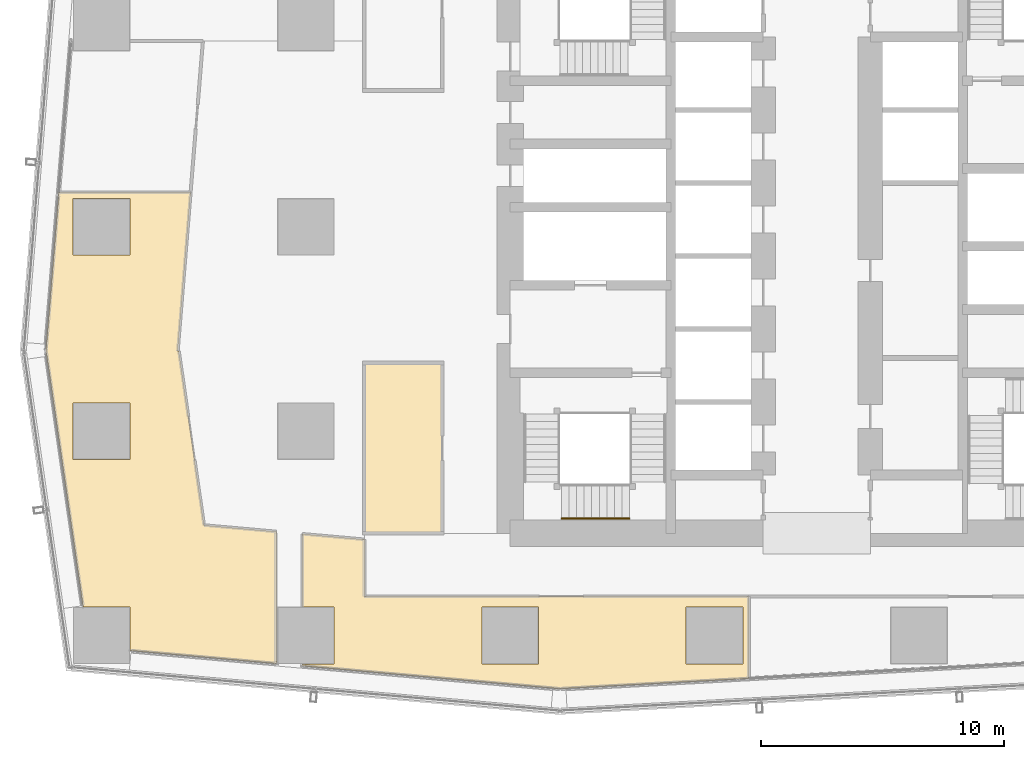
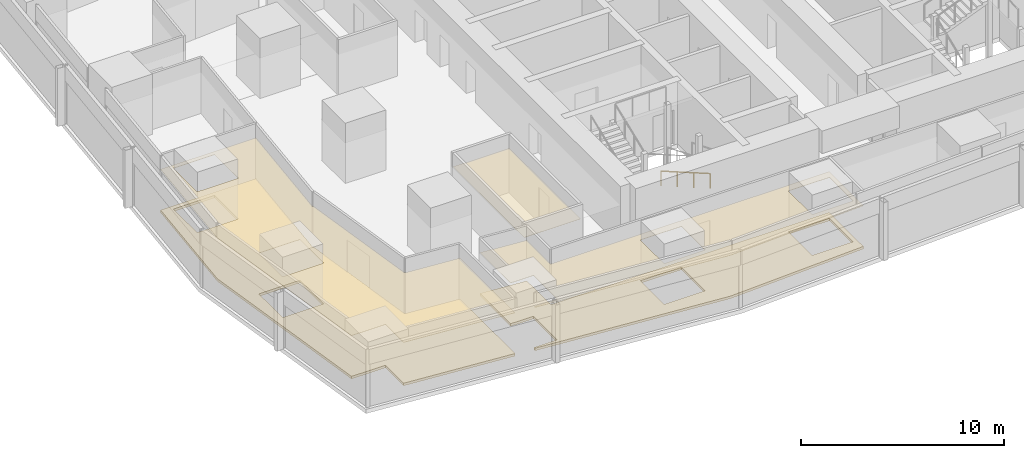
# One storey, part 25 of 32: 5 coverings, 1 railing.
"""IFC4 building model written with IfcOpenShell, lengths in metres."""

from ifc_helpers import new_model, si_unit, direction, frame, origin, origin_2d, place, context, subcontext, project, spatial, polyline, circle, outline, extrude, material, layer, layer_set, type_object, element, save


model = new_model("IFC4")

# Units and contexts
model_context = context("Model", 3, precision=1e-05, world=origin(), true_north=direction((0.0, 1.0)))
body_context = subcontext(model_context, "Body", "Model", "MODEL_VIEW")
ifc_project = project(units=[si_unit("LENGTHUNIT", "METRE"), si_unit("AREAUNIT", "SQUARE_METRE"), si_unit("VOLUMEUNIT", "CUBIC_METRE"), si_unit("PLANEANGLEUNIT", "RADIAN"), si_unit("MASSUNIT", "GRAM", prefix="KILO")], contexts=[model_context])

# Site, building, storey
site_placement = place(None, origin())
site = spatial("IfcSite", under=ifc_project, at=site_placement, CompositionType="ELEMENT")
building_placement = place(site_placement, origin())
building = spatial("IfcBuilding", under=site, at=building_placement, Name="Rekha Terrace Tower", CompositionType="ELEMENT")
storey_placement = place(building_placement, frame((0.0, 0.0, 250.10009765625)))
storey = spatial("IfcBuildingStorey", under=building, at=storey_placement, Name="L63", CompositionType="ELEMENT", Elevation=250.10009765625)

# Coverings
ifc_material_1 = material(Name="Mineral fibre tile in exposed grid", Category="finish")
ifc_layer_1 = layer(ifc_material_1, 0.02001953125)
ifc_layer_set_1 = layer_set([ifc_layer_1], Name="Mineral fibre tile in exposed grid")
covering_type_1 = type_object("IfcCoveringType", Name="CL1 600x1200 office grid ceiling", PredefinedType="CEILING", material=ifc_layer_set_1)
covering_1_placement = place(storey_placement, frame((0.0, 0.0, 2.579833984375)))
element("IfcCovering", 1, at=covering_1_placement, inside=storey, type_object=covering_type_1, Name="Ceiling L63-10", PredefinedType="CEILING", context=body_context, shape_type="SweptSolid", body=[
    extrude(outline(polyline([(6.64306640625, 35.006103515625), (6.113037109375, 28.491943359375), (6.12109375, 28.491943359375), (7.64306640625, 17.965087890625), (9.56494140625, 17.965087890625), (9.56494140625, 16.181884765625), (15.589111328125, 15.64697265625), (15.589111328125, 21.068115234375), (12.612060546875, 21.3330078125), (11.576904296875, 28.490966796875), (11.531005859375, 28.490966796875), (12.06103515625, 35.006103515625), (6.64306640625, 35.006103515625)]), holes=[polyline([(9.56494140625, 26.364990234375), (9.56494140625, 24.034912109375), (7.235107421875, 24.034912109375), (7.235107421875, 26.364990234375), (9.56494140625, 26.364990234375)]), polyline([(9.56494140625, 34.764892578125), (9.56494140625, 32.43505859375), (7.235107421875, 32.43505859375), (7.235107421875, 34.764892578125), (9.56494140625, 34.764892578125)])]), origin(), (0.0, 0.0, 1.0), 0.02001953125),
])
covering_2_placement = place(storey_placement, frame((0.0, 0.0, 2.579833984375)))
element("IfcCovering", 2, at=covering_2_placement, inside=storey, type_object=covering_type_1, Name="Ceiling L63-11", PredefinedType="CEILING", context=body_context, shape_type="SweptSolid", body=[
    extrude(outline(polyline([(26.52392578125, 14.675048828125), (27.221923828125, 14.613037109375), (35.0029296875, 15.037109375), (35.0029296875, 18.39990234375), (19.199951171875, 18.39990234375), (19.199951171875, 20.7470703125), (16.666015625, 20.971923828125), (16.666015625, 17.965087890625), (17.965087890625, 17.965087890625), (17.965087890625, 15.635009765625), (16.666015625, 15.635009765625), (16.666015625, 15.551025390625), (26.52392578125, 14.675048828125)]), holes=[polyline([(34.764892578125, 15.635009765625), (32.43505859375, 15.635009765625), (32.43505859375, 17.965087890625), (34.764892578125, 17.965087890625), (34.764892578125, 15.635009765625)]), polyline([(26.364990234375, 17.965087890625), (26.364990234375, 15.635009765625), (24.034912109375, 15.635009765625), (24.034912109375, 17.965087890625), (26.364990234375, 17.965087890625)])]), origin(), (0.0, 0.0, 1.0), 0.02001953125),
])
ifc_material_2 = material(Name="Fibre cement board", Category="finish")
ifc_layer_2 = layer(ifc_material_2, 0.014892578125)
ifc_layer_set_2 = layer_set([ifc_layer_2], Name="Fibre cement board")
covering_type_2 = type_object("IfcCoveringType", Name="CL2 moisture-resistant board ceiling", PredefinedType="CEILING", material=ifc_layer_set_2)
covering_3_placement = place(storey_placement, frame((0.0, 0.0, 2.5849609375)))
element("IfcCovering", 3, at=covering_3_placement, inside=storey, type_object=covering_type_2, Name="Ceiling L63-WCM", PredefinedType="CEILING", context=body_context, shape_type="SweptSolid", body=[
    extrude(outline(polyline([(22.39990234375, 28.0), (19.199951171875, 28.0), (19.199951171875, 21.0), (22.39990234375, 21.0), (22.39990234375, 28.0)])), origin(), (0.0, 0.0, 1.0), 0.014892578125),
])

# Railing
ifc_material_3 = material(Name="Stainless steel tube", Category="steel")
railing_type = type_object("IfcRailingType", Name="HR1 900 stair handrail", PredefinedType="HANDRAIL", material=ifc_material_3)
railing_placement = place(storey_placement, frame((30.10009765625, 21.610107421875, 1.375)))
element("IfcRailing", 4, at=railing_placement, inside=storey, type_object=railing_type, Name="Handrail ST1 L63 flight 2", PredefinedType="HANDRAIL", context=body_context, shape_type="SweptSolid", body=[
    extrude(circle(Radius=0.02392578125, at=origin_2d()), frame((0.0, 0.0, 0.8759765625), z_axis=(-0.927443287984, 0.0, 0.373963831907), x_axis=(0.0, -1.0, 0.0)), (0.0, 0.0, 1.0), 3.00830078125),
    extrude(circle(Radius=0.02099609375, at=origin_2d()), origin(), (0.0, 0.0, 1.0), 0.851806640625),
    extrude(circle(Radius=0.02099609375, at=origin_2d()), frame((-0.929931640625, 0.0, 0.375)), (0.0, 0.0, 1.0), 0.851806640625),
    extrude(circle(Radius=0.02099609375, at=origin_2d()), frame((-1.860107421875, 0.0, 0.75)), (0.0, 0.0, 1.0), 0.851806640625),
    extrude(circle(Radius=0.02099609375, at=origin_2d()), frame((-2.7900390625, 0.0, 1.125)), (0.0, 0.0, 1.0), 0.851806640625),
])

# Coverings
ifc_material_4 = material(Name="Calcium sulphate panels on steel pedestals", Category="steel")
ifc_layer_3 = layer(ifc_material_4, 0.14990234375)
ifc_layer_set_3 = layer_set([ifc_layer_3], Name="Calcium sulphate panels on steel pedestals")
covering_type_3 = type_object("IfcCoveringType", Name="RF1 150 raised access floor", PredefinedType="FLOORING", material=ifc_layer_set_3)
covering_4_placement = place(storey_placement, origin())
element("IfcCovering", 5, at=covering_4_placement, inside=storey, type_object=covering_type_3, Name="Raised floor L63-10", PredefinedType="FLOORING", context=body_context, shape_type="SweptSolid", body=[
    extrude(outline(polyline([(6.64306640625, 35.006103515625), (6.113037109375, 28.491943359375), (6.12109375, 28.491943359375), (7.64306640625, 17.965087890625), (9.56494140625, 17.965087890625), (9.56494140625, 16.181884765625), (15.589111328125, 15.64697265625), (15.589111328125, 21.068115234375), (12.612060546875, 21.3330078125), (11.576904296875, 28.490966796875), (11.531005859375, 28.490966796875), (12.06103515625, 35.006103515625), (6.64306640625, 35.006103515625)]), holes=[polyline([(9.56494140625, 26.364990234375), (9.56494140625, 24.034912109375), (7.235107421875, 24.034912109375), (7.235107421875, 26.364990234375), (9.56494140625, 26.364990234375)]), polyline([(9.56494140625, 34.764892578125), (9.56494140625, 32.43505859375), (7.235107421875, 32.43505859375), (7.235107421875, 34.764892578125), (9.56494140625, 34.764892578125)])]), origin(), (0.0, 0.0, 1.0), 0.14990234375),
])
covering_5_placement = place(storey_placement, origin())
element("IfcCovering", 6, at=covering_5_placement, inside=storey, type_object=covering_type_3, Name="Raised floor L63-11", PredefinedType="FLOORING", context=body_context, shape_type="SweptSolid", body=[
    extrude(outline(polyline([(26.52392578125, 14.675048828125), (27.221923828125, 14.613037109375), (35.0029296875, 15.037109375), (35.0029296875, 18.39990234375), (19.199951171875, 18.39990234375), (19.199951171875, 20.7470703125), (16.666015625, 20.971923828125), (16.666015625, 17.965087890625), (17.965087890625, 17.965087890625), (17.965087890625, 15.635009765625), (16.666015625, 15.635009765625), (16.666015625, 15.551025390625), (26.52392578125, 14.675048828125)]), holes=[polyline([(34.764892578125, 15.635009765625), (32.43505859375, 15.635009765625), (32.43505859375, 17.965087890625), (34.764892578125, 17.965087890625), (34.764892578125, 15.635009765625)]), polyline([(26.364990234375, 17.965087890625), (26.364990234375, 15.635009765625), (24.034912109375, 15.635009765625), (24.034912109375, 17.965087890625), (26.364990234375, 17.965087890625)])]), origin(), (0.0, 0.0, 1.0), 0.14990234375),
])

save(model, "model.ifc")
